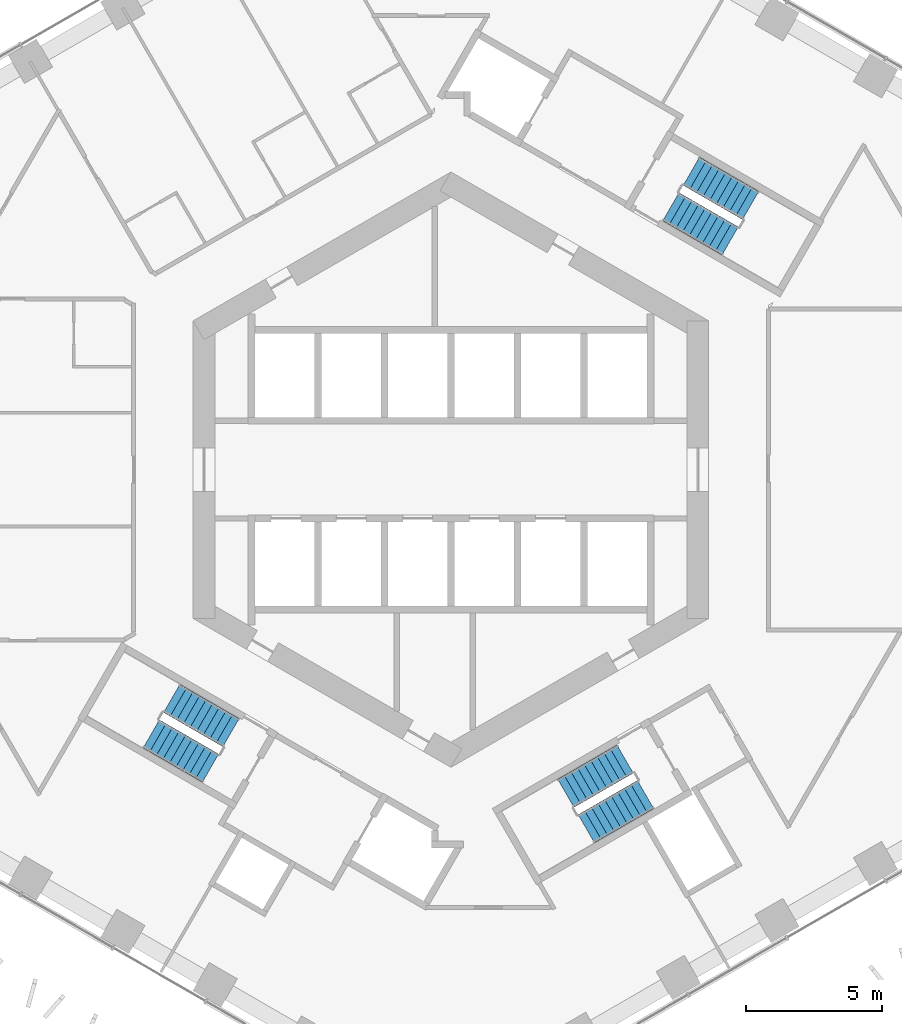
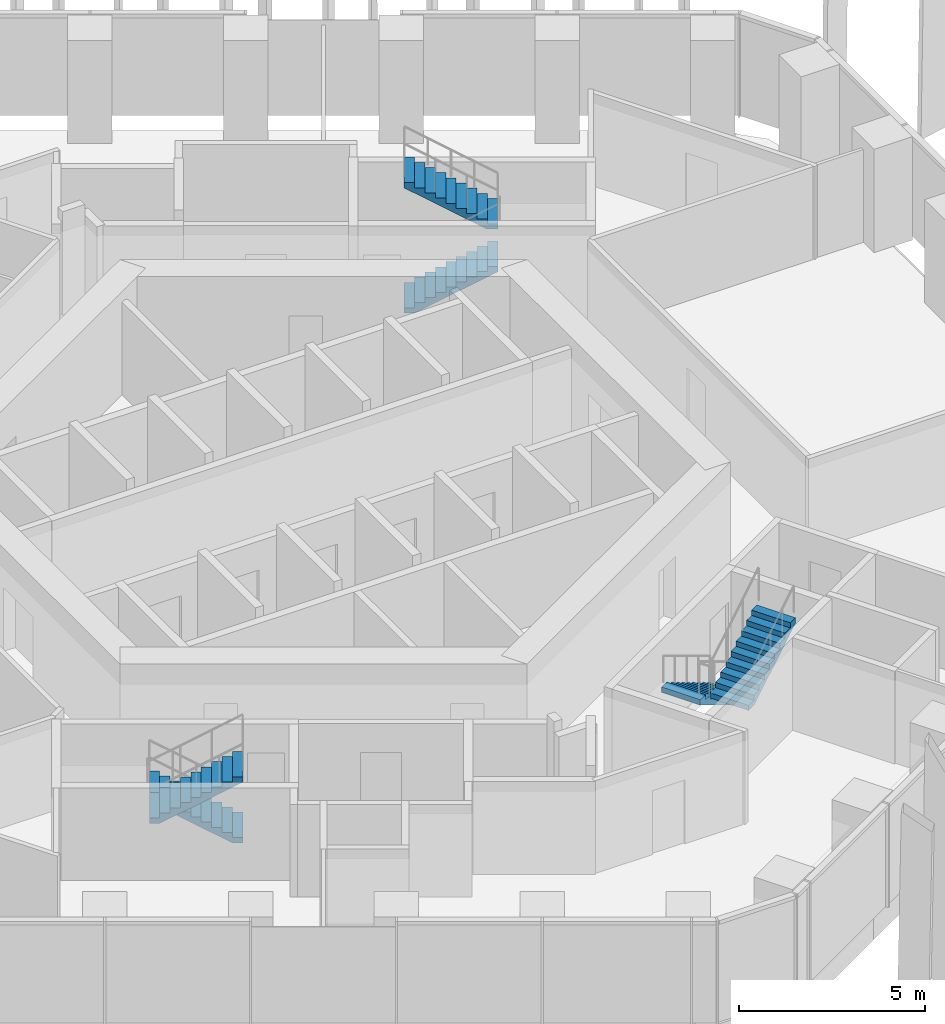
# One storey, part 16 of 19: 6 stair flights, 3 elements without a shape of their own.
"""IFC4 building model written with IfcOpenShell, lengths in metres."""

import ifcopenshell
import ifcopenshell.guid

model = None  # the IFC model being written
_history = None  # IfcOwnerHistory: only IFC2X3 demands one
_inside = {}  # id of a spatial element -> (the spatial element, [elements in it])
_under = {}  # id of a project, library or spatial element -> (it, [spatial elements below it])
_declared = {}  # id of a project -> (the project, [libraries it declares])
_typed = {}  # id of a type object -> (the type object, [elements of that type])
_made_of = {}  # id of a material, layer set ... -> (it, [elements and type objects made of it])


def new_model(schema):
    """Start an empty IFC model of exactly this schema.

    Asked for "IFC4X3", IfcOpenShell would pick the latest addendum, in which some entities
    have other attributes; the version numbers below select the first issue.
    IFC2X3 requires an IfcOwnerHistory on every rooted entity: one is made here for all.
    """
    global model, _history
    if schema == "IFC4X3":
        model = ifcopenshell.file(schema_version=(4, 3, 0, 0))
    else:
        model = ifcopenshell.file(schema=schema)
    _inside.clear()
    _under.clear()
    _declared.clear()
    _typed.clear()
    _made_of.clear()
    _history = None
    if model.schema == "IFC2X3":
        org = make("IfcOrganization", Name="unknown")
        user = make(
            "IfcPersonAndOrganization",
            ThePerson=make("IfcPerson", FamilyName="unknown"),
            TheOrganization=org,
        )
        app = make(
            "IfcApplication",
            ApplicationDeveloper=org,
            Version="unknown",
            ApplicationFullName="unknown",
            ApplicationIdentifier="unknown",
        )
        _history = make(
            "IfcOwnerHistory",
            OwningUser=user,
            OwningApplication=app,
            ChangeAction="ADDED",
            CreationDate=0,
        )
    return model


def make(cls, **values):
    """One entity of the class cls with the attributes given. An attribute that is None is left unset."""
    return model.create_entity(
        cls, **{name: value for name, value in values.items() if value is not None}
    )


def rooted(cls, **values):
    """An entity with a GlobalId (a new one), such as an element, a storey or a relation."""
    return make(cls, GlobalId=ifcopenshell.guid.new(), OwnerHistory=_history, **values)


def si_unit(unit_type, name, prefix=None):
    """IfcSIUnit, for example si_unit("LENGTHUNIT", "METRE", prefix="MILLI")."""
    return make("IfcSIUnit", UnitType=unit_type, Prefix=prefix, Name=name)


def assignment(units):
    """IfcUnitAssignment: the units of a project."""
    return None if units is None else make("IfcUnitAssignment", Units=units)


def point(xyz):
    """IfcCartesianPoint."""
    return None if xyz is None else make("IfcCartesianPoint", Coordinates=xyz)


def direction(xyz):
    """IfcDirection."""
    return None if xyz is None else make("IfcDirection", DirectionRatios=xyz)


def frame(location, z_axis=None, x_axis=None):
    """IfcAxis2Placement3D, a coordinate frame: its origin and axes. An axis left out is left unset."""
    return make(
        "IfcAxis2Placement3D",
        Location=point(location),
        Axis=direction(z_axis),
        RefDirection=direction(x_axis),
    )


def origin():
    """The frame at (0, 0, 0) with its axes left unset."""
    return frame((0.0, 0.0, 0.0))


def place(relative_to, where):
    """IfcLocalPlacement: puts the frame where relative to a parent placement (None: the world)."""
    return make(
        "IfcLocalPlacement", PlacementRelTo=relative_to, RelativePlacement=where
    )


def context(
    kind, dimensions, precision=None, world=None, true_north=None, identifier=None
):
    """IfcGeometricRepresentationContext, for example the 3D "Model" context."""
    return make(
        "IfcGeometricRepresentationContext",
        ContextIdentifier=identifier,
        ContextType=kind,
        CoordinateSpaceDimension=dimensions,
        Precision=precision,
        WorldCoordinateSystem=world,
        TrueNorth=true_north,
    )


def subcontext(parent, identifier, kind, view, scale=None):
    """IfcGeometricRepresentationSubContext, for example "Body" below "Model"."""
    return make(
        "IfcGeometricRepresentationSubContext",
        ContextIdentifier=identifier,
        ContextType=kind,
        ParentContext=parent,
        TargetScale=scale,
        TargetView=view,
    )


def project(units=None, contexts=None):
    """IfcProject with its units and contexts."""
    return rooted(
        "IfcProject",
        Name="project",
        RepresentationContexts=contexts,
        UnitsInContext=assignment(units),
    )


def spatial(cls, under=None, at=None, **own):
    """A site, building, storey or space (cls), placed at a placement, below another one or the project."""
    s = rooted(cls, ObjectPlacement=at, **own)
    if under is not None:
        _under.setdefault(under.id(), (under, []))[1].append(s)
    return s


def point_list(points):
    """IfcCartesianPointList2D or 3D."""
    cls = (
        "IfcCartesianPointList2D" if len(points[0]) == 2 else "IfcCartesianPointList3D"
    )
    return make(cls, CoordList=points)


def triangles(points, corners, closed=None, point_numbers=None):
    """IfcTriangulatedFaceSet: each triangle names its three corners, points numbered from 1."""
    return make(
        "IfcTriangulatedFaceSet",
        Coordinates=point_list(points),
        Closed=closed,
        CoordIndex=corners,
        PnIndex=point_numbers,
    )


def shape(context_of_items, identifier, shape_type, items):
    """IfcShapeRepresentation: the items that make up one representation, for example the "Body"."""
    return make(
        "IfcShapeRepresentation",
        ContextOfItems=context_of_items,
        RepresentationIdentifier=identifier,
        RepresentationType=shape_type,
        Items=items,
    )


def material(Name=None, Category=None):
    """IfcMaterial."""
    return make("IfcMaterial", Name=Name, Category=Category)


def made_of(thing, what):
    """Note that an element or type object is made of a material, layer set ...; save() writes the relation."""
    if what is not None:
        _made_of.setdefault(what.id(), (what, []))[1].append(thing)
    return thing


def type_object(cls, material=None, **own):
    """A type object (cls), such as IfcWallType, which elements share."""
    return made_of(rooted(cls, **own), material)


def element(
    cls,
    number,
    at=None,
    inside=None,
    cuts=None,
    type_object=None,
    material=None,
    context=None,
    identifier="Body",
    shape_type=None,
    held_by="IfcProductDefinitionShape",
    body=None,
    shapes=None,
    **own,
):
    """One element of the class cls, such as IfcWall. Its Tag is "e" and its number.

    at: its placement. inside: the storey or other place that contains it. cuts: it is an
    opening in that element (IfcRelVoidsElement). A single representation is given by context,
    identifier, shape_type and body (its items); several are given by shapes. held_by: the class
    of the entity that holds the representations. save() writes the other relations.
    """
    e = rooted(cls, Tag="e%d" % number, ObjectPlacement=at, **own)
    if body is not None:
        shapes = [shape(context, identifier, shape_type, body)]
    if shapes is not None:
        e.Representation = make(held_by, Representations=shapes)
    if inside is not None:
        _inside.setdefault(inside.id(), (inside, []))[1].append(e)
    if cuts is not None:
        rooted(
            "IfcRelVoidsElement", RelatingBuildingElement=cuts, RelatedOpeningElement=e
        )
    if type_object is not None:
        _typed.setdefault(type_object.id(), (type_object, []))[1].append(e)
    return made_of(e, material)


def aggregate(whole, parts):
    """IfcRelAggregates: a whole, such as a stair, and the parts it consists of."""
    return rooted("IfcRelAggregates", RelatingObject=whole, RelatedObjects=parts)


def save(model, path):
    """Write the relations noted so far, then the file.

    IfcRelAggregates (storeys below a building ...), IfcRelContainedInSpatialStructure (elements
    in a storey), IfcRelDefinesByType, IfcRelAssociatesMaterial and IfcRelDeclares: one each for
    every whole, place, type object, material and project.
    """
    for whole, parts in _under.values():
        aggregate(whole, parts)
    for where, things in _inside.values():
        rooted(
            "IfcRelContainedInSpatialStructure",
            RelatedElements=things,
            RelatingStructure=where,
        )
    for kind, things in _typed.values():
        rooted("IfcRelDefinesByType", RelatedObjects=things, RelatingType=kind)
    for what, things in _made_of.values():
        rooted("IfcRelAssociatesMaterial", RelatedObjects=things, RelatingMaterial=what)
    for by, libraries in _declared.values():
        rooted("IfcRelDeclares", RelatingContext=by, RelatedDefinitions=libraries)
    model.write(path)


model = new_model("IFC4")

# Units and contexts
model_context = context("Model", 3, precision=1e-05, world=origin(), true_north=direction((0.0, 1.0)))
body_context = subcontext(model_context, "Body", "Model", "MODEL_VIEW")
ifc_project = project(units=[si_unit("LENGTHUNIT", "METRE"), si_unit("AREAUNIT", "SQUARE_METRE"), si_unit("VOLUMEUNIT", "CUBIC_METRE"), si_unit("PLANEANGLEUNIT", "RADIAN"), si_unit("MASSUNIT", "GRAM", prefix="KILO")], contexts=[model_context])

# Site, building, storey
site_placement = place(None, origin())
site = spatial("IfcSite", under=ifc_project, at=site_placement, CompositionType="ELEMENT")
building_placement = place(site_placement, origin())
building = spatial("IfcBuilding", under=site, at=building_placement, Name="Ayvan Gate Tower", CompositionType="ELEMENT")
storey_placement = place(building_placement, frame((0.0, 0.0, 45.89990234375)))
storey = spatial("IfcBuildingStorey", under=building, at=storey_placement, Name="L11", CompositionType="ELEMENT", Elevation=45.89990234375)

# Stair, stair flights
ifc_material = material(Name="Concrete C40/50", Category="concrete")
stair_type = type_object("IfcStairType", Name="ST-EXIT", PredefinedType="HALF_TURN_STAIR", material=ifc_material)
stair_1_placement = place(storey_placement, origin())
stair_1 = element("IfcStair", 1, at=stair_1_placement, inside=storey, type_object=stair_type, Name="L11 Exit Stair S1", PredefinedType="HALF_TURN_STAIR")
stair_flight_type = type_object("IfcStairFlightType", Name="SFL-EXIT", PredefinedType="STRAIGHT", material=ifc_material)
stair_flight_1_placement = place(storey_placement, frame((8.106201171875, 9.690185546875, 0.0), z_axis=(0.0, 0.0, 1.0), x_axis=(0.866025403784, -0.5, 0.0)))
stair_flight_1 = element("IfcStairFlight", 2, at=stair_flight_1_placement, type_object=stair_flight_type, Name="STS1 flight 1", NumberOfRisers=10, NumberOfTreads=9, PredefinedType="STRAIGHT", RiserHeight=0.17, TreadLength=0.28, context=body_context, shape_type="Tessellation", body=[
    triangles([(0.288841, -0.599976, 0.0), (2.5205, -0.599976, 1.354936), (2.5205, -0.599976, 1.53), (2.24, -0.599976, 1.53), (2.24, -0.599976, 1.36), (1.96, -0.599976, 1.36), (1.96, -0.599976, 1.19), (1.68, -0.599976, 1.19), (1.68, -0.599976, 1.02), (1.4, -0.599976, 1.02), (1.4, -0.599976, 0.85), (1.12, -0.599976, 0.85), (1.12, -0.599976, 0.68), (0.84, -0.599976, 0.68), (0.84, -0.599976, 0.51), (0.56, -0.599976, 0.51), (0.56, -0.599976, 0.34), (0.28, -0.599976, 0.34), (0.28, -0.599976, 0.17), (-0.0005, -0.599976, 0.17), (-0.0005, -0.599976, 0.0), (0.288841, 0.0, 0.0), (2.5205, 0.0, 1.354936), (2.5205, 0.0, 1.53), (2.24, 0.0, 1.53), (2.24, 0.0, 1.36), (1.96, 0.0, 1.36), (1.96, 0.0, 1.19), (1.68, 0.0, 1.19), (1.68, 0.0, 1.02), (1.4, 0.0, 1.02), (1.4, 0.0, 0.85), (1.12, 0.0, 0.85), (1.12, 0.0, 0.68), (0.84, 0.0, 0.68), (0.84, 0.0, 0.51), (0.56, 0.0, 0.51), (0.56, 0.0, 0.34), (0.28, 0.0, 0.34), (0.28, 0.0, 0.17), (-0.0005, 0.0, 0.17), (-0.0005, 0.0, 0.0), (0.288841, 0.599976, 0.0), (2.5205, 0.599976, 1.354936), (2.5205, 0.599976, 1.53), (2.24, 0.599976, 1.53), (2.24, 0.599976, 1.36), (1.96, 0.599976, 1.36), (1.96, 0.599976, 1.19), (1.68, 0.599976, 1.19), (1.68, 0.599976, 1.02), (1.4, 0.599976, 1.02), (1.4, 0.599976, 0.85), (1.12, 0.599976, 0.85), (1.12, 0.599976, 0.68), (0.84, 0.599976, 0.68), (0.84, 0.599976, 0.51), (0.56, 0.599976, 0.51), (0.56, 0.599976, 0.34), (0.28, 0.599976, 0.34), (0.28, 0.599976, 0.17), (-0.0005, 0.599976, 0.17), (-0.0005, 0.599976, 0.0)], [[21, 1, 2], [63, 44, 43], [2, 3, 4], [44, 46, 45], [2, 4, 5], [44, 47, 46], [2, 5, 6], [44, 48, 47], [2, 6, 7], [44, 49, 48], [7, 8, 9], [49, 51, 50], [2, 7, 9], [44, 51, 49], [9, 10, 11], [51, 53, 52], [2, 9, 11], [44, 53, 51], [11, 12, 13], [53, 55, 54], [2, 11, 13], [44, 55, 53], [13, 14, 15], [55, 57, 56], [2, 13, 15], [44, 57, 55], [15, 16, 17], [57, 59, 58], [2, 15, 17], [44, 59, 57], [17, 18, 19], [59, 61, 60], [2, 17, 19], [44, 61, 59], [21, 2, 19], [63, 61, 44], [19, 20, 21], [61, 63, 62], [1, 22, 23], [1, 23, 2], [43, 23, 22], [43, 44, 23], [2, 23, 24], [2, 24, 3], [44, 24, 23], [44, 45, 24], [3, 24, 25], [3, 25, 4], [45, 25, 24], [45, 46, 25], [4, 25, 26], [4, 26, 5], [46, 26, 25], [46, 47, 26], [5, 26, 27], [5, 27, 6], [47, 27, 26], [47, 48, 27], [6, 27, 28], [6, 28, 7], [48, 28, 27], [48, 49, 28], [7, 28, 29], [7, 29, 8], [49, 29, 28], [49, 50, 29], [8, 29, 30], [8, 30, 9], [50, 30, 29], [50, 51, 30], [9, 30, 31], [9, 31, 10], [51, 31, 30], [51, 52, 31], [10, 31, 32], [10, 32, 11], [52, 32, 31], [52, 53, 32], [11, 32, 33], [11, 33, 12], [53, 33, 32], [53, 54, 33], [12, 33, 34], [12, 34, 13], [54, 34, 33], [54, 55, 34], [13, 34, 35], [13, 35, 14], [55, 35, 34], [55, 56, 35], [14, 35, 36], [14, 36, 15], [56, 36, 35], [56, 57, 36], [15, 36, 37], [15, 37, 16], [57, 37, 36], [57, 58, 37], [16, 37, 38], [16, 38, 17], [58, 38, 37], [58, 59, 38], [17, 38, 39], [17, 39, 18], [59, 39, 38], [59, 60, 39], [18, 39, 40], [18, 40, 19], [60, 40, 39], [60, 61, 40], [19, 40, 41], [19, 41, 20], [61, 41, 40], [61, 62, 41], [20, 41, 42], [20, 42, 21], [62, 42, 41], [62, 63, 42], [21, 42, 22], [21, 22, 1], [63, 22, 42], [63, 43, 22]], closed=True),
])
stair_flight_2_placement = place(storey_placement, frame((11.04345703125, 9.73779296875, 1.7001953125), z_axis=(0.0, 0.0, 1.0), x_axis=(-0.866025403784, 0.5, 0.0)))
stair_flight_2 = element("IfcStairFlight", 3, at=stair_flight_2_placement, type_object=stair_flight_type, Name="STS1 flight 2", NumberOfRisers=10, NumberOfTreads=9, PredefinedType="STRAIGHT", RiserHeight=0.17, TreadLength=0.28, context=body_context, shape_type="Tessellation", body=[
    triangles([(0.288841, -0.599976, 0.0), (2.5205, -0.599976, 1.354936), (2.5205, -0.599976, 1.53), (2.24, -0.599976, 1.53), (2.24, -0.599976, 1.36), (1.96, -0.599976, 1.36), (1.96, -0.599976, 1.19), (1.68, -0.599976, 1.19), (1.68, -0.599976, 1.02), (1.4, -0.599976, 1.02), (1.4, -0.599976, 0.85), (1.12, -0.599976, 0.85), (1.12, -0.599976, 0.68), (0.84, -0.599976, 0.68), (0.84, -0.599976, 0.51), (0.56, -0.599976, 0.51), (0.56, -0.599976, 0.34), (0.28, -0.599976, 0.34), (0.28, -0.599976, 0.17), (-0.0005, -0.599976, 0.17), (-0.0005, -0.599976, 0.0), (0.288841, 0.0, 0.0), (2.5205, 0.0, 1.354936), (2.5205, 0.0, 1.53), (2.24, 0.0, 1.53), (2.24, 0.0, 1.36), (1.96, 0.0, 1.36), (1.96, 0.0, 1.19), (1.68, 0.0, 1.19), (1.68, 0.0, 1.02), (1.4, 0.0, 1.02), (1.4, 0.0, 0.85), (1.12, 0.0, 0.85), (1.12, 0.0, 0.68), (0.84, 0.0, 0.68), (0.84, 0.0, 0.51), (0.56, 0.0, 0.51), (0.56, 0.0, 0.34), (0.28, 0.0, 0.34), (0.28, 0.0, 0.17), (-0.0005, 0.0, 0.17), (-0.0005, 0.0, 0.0), (0.288841, 0.599976, 0.0), (2.5205, 0.599976, 1.354936), (2.5205, 0.599976, 1.53), (2.24, 0.599976, 1.53), (2.24, 0.599976, 1.36), (1.96, 0.599976, 1.36), (1.96, 0.599976, 1.19), (1.68, 0.599976, 1.19), (1.68, 0.599976, 1.02), (1.4, 0.599976, 1.02), (1.4, 0.599976, 0.85), (1.12, 0.599976, 0.85), (1.12, 0.599976, 0.68), (0.84, 0.599976, 0.68), (0.84, 0.599976, 0.51), (0.56, 0.599976, 0.51), (0.56, 0.599976, 0.34), (0.28, 0.599976, 0.34), (0.28, 0.599976, 0.17), (-0.0005, 0.599976, 0.17), (-0.0005, 0.599976, 0.0)], [[21, 1, 2], [63, 44, 43], [2, 3, 4], [44, 46, 45], [2, 4, 5], [44, 47, 46], [2, 5, 6], [44, 48, 47], [2, 6, 7], [44, 49, 48], [7, 8, 9], [49, 51, 50], [2, 7, 9], [44, 51, 49], [9, 10, 11], [51, 53, 52], [2, 9, 11], [44, 53, 51], [11, 12, 13], [53, 55, 54], [2, 11, 13], [44, 55, 53], [13, 14, 15], [55, 57, 56], [2, 13, 15], [44, 57, 55], [15, 16, 17], [57, 59, 58], [2, 15, 17], [44, 59, 57], [17, 18, 19], [59, 61, 60], [2, 17, 19], [44, 61, 59], [21, 2, 19], [63, 61, 44], [19, 20, 21], [61, 63, 62], [1, 22, 23], [1, 23, 2], [43, 23, 22], [43, 44, 23], [2, 23, 24], [2, 24, 3], [44, 24, 23], [44, 45, 24], [3, 24, 25], [3, 25, 4], [45, 25, 24], [45, 46, 25], [4, 25, 26], [4, 26, 5], [46, 26, 25], [46, 47, 26], [5, 26, 27], [5, 27, 6], [47, 27, 26], [47, 48, 27], [6, 27, 28], [6, 28, 7], [48, 28, 27], [48, 49, 28], [7, 28, 29], [7, 29, 8], [49, 29, 28], [49, 50, 29], [8, 29, 30], [8, 30, 9], [50, 30, 29], [50, 51, 30], [9, 30, 31], [9, 31, 10], [51, 31, 30], [51, 52, 31], [10, 31, 32], [10, 32, 11], [52, 32, 31], [52, 53, 32], [11, 32, 33], [11, 33, 12], [53, 33, 32], [53, 54, 33], [12, 33, 34], [12, 34, 13], [54, 34, 33], [54, 55, 34], [13, 34, 35], [13, 35, 14], [55, 35, 34], [55, 56, 35], [14, 35, 36], [14, 36, 15], [56, 36, 35], [56, 57, 36], [15, 36, 37], [15, 37, 16], [57, 37, 36], [57, 58, 37], [16, 37, 38], [16, 38, 17], [58, 38, 37], [58, 59, 38], [17, 38, 39], [17, 39, 18], [59, 39, 38], [59, 60, 39], [18, 39, 40], [18, 40, 19], [60, 40, 39], [60, 61, 40], [19, 40, 41], [19, 41, 20], [61, 41, 40], [61, 62, 41], [20, 41, 42], [20, 42, 21], [62, 42, 41], [62, 63, 42], [21, 42, 22], [21, 22, 1], [63, 22, 42], [63, 43, 22]], closed=True),
])
aggregate(stair_1, [stair_flight_1, stair_flight_2])

stair_2_placement = place(storey_placement, origin())
stair_2 = element("IfcStair", 4, at=stair_2_placement, inside=storey, type_object=stair_type, Name="L11 Exit Stair S2", PredefinedType="HALF_TURN_STAIR")
stair_flight_3_placement = place(storey_placement, frame((-8.106201171875, -9.690185546875, 0.0), z_axis=(0.0, 0.0, 1.0), x_axis=(-0.866025403784, 0.5, 0.0)))
stair_flight_3 = element("IfcStairFlight", 5, at=stair_flight_3_placement, type_object=stair_flight_type, Name="STS2 flight 1", NumberOfRisers=10, NumberOfTreads=9, PredefinedType="STRAIGHT", RiserHeight=0.17, TreadLength=0.28, context=body_context, shape_type="Tessellation", body=[
    triangles([(0.288841, -0.599976, 0.0), (2.5205, -0.599976, 1.354936), (2.5205, -0.599976, 1.53), (2.24, -0.599976, 1.53), (2.24, -0.599976, 1.36), (1.96, -0.599976, 1.36), (1.96, -0.599976, 1.19), (1.68, -0.599976, 1.19), (1.68, -0.599976, 1.02), (1.4, -0.599976, 1.02), (1.4, -0.599976, 0.85), (1.12, -0.599976, 0.85), (1.12, -0.599976, 0.68), (0.84, -0.599976, 0.68), (0.84, -0.599976, 0.51), (0.56, -0.599976, 0.51), (0.56, -0.599976, 0.34), (0.28, -0.599976, 0.34), (0.28, -0.599976, 0.17), (-0.0005, -0.599976, 0.17), (-0.0005, -0.599976, 0.0), (0.288841, 0.0, 0.0), (2.5205, 0.0, 1.354936), (2.5205, 0.0, 1.53), (2.24, 0.0, 1.53), (2.24, 0.0, 1.36), (1.96, 0.0, 1.36), (1.96, 0.0, 1.19), (1.68, 0.0, 1.19), (1.68, 0.0, 1.02), (1.4, 0.0, 1.02), (1.4, 0.0, 0.85), (1.12, 0.0, 0.85), (1.12, 0.0, 0.68), (0.84, 0.0, 0.68), (0.84, 0.0, 0.51), (0.56, 0.0, 0.51), (0.56, 0.0, 0.34), (0.28, 0.0, 0.34), (0.28, 0.0, 0.17), (-0.0005, 0.0, 0.17), (-0.0005, 0.0, 0.0), (0.288841, 0.599976, 0.0), (2.5205, 0.599976, 1.354936), (2.5205, 0.599976, 1.53), (2.24, 0.599976, 1.53), (2.24, 0.599976, 1.36), (1.96, 0.599976, 1.36), (1.96, 0.599976, 1.19), (1.68, 0.599976, 1.19), (1.68, 0.599976, 1.02), (1.4, 0.599976, 1.02), (1.4, 0.599976, 0.85), (1.12, 0.599976, 0.85), (1.12, 0.599976, 0.68), (0.84, 0.599976, 0.68), (0.84, 0.599976, 0.51), (0.56, 0.599976, 0.51), (0.56, 0.599976, 0.34), (0.28, 0.599976, 0.34), (0.28, 0.599976, 0.17), (-0.0005, 0.599976, 0.17), (-0.0005, 0.599976, 0.0)], [[21, 1, 2], [63, 44, 43], [2, 3, 4], [44, 46, 45], [2, 4, 5], [44, 47, 46], [2, 5, 6], [44, 48, 47], [2, 6, 7], [44, 49, 48], [7, 8, 9], [49, 51, 50], [2, 7, 9], [44, 51, 49], [9, 10, 11], [51, 53, 52], [2, 9, 11], [44, 53, 51], [11, 12, 13], [53, 55, 54], [2, 11, 13], [44, 55, 53], [13, 14, 15], [55, 57, 56], [2, 13, 15], [44, 57, 55], [15, 16, 17], [57, 59, 58], [2, 15, 17], [44, 59, 57], [17, 18, 19], [59, 61, 60], [2, 17, 19], [44, 61, 59], [21, 2, 19], [63, 61, 44], [19, 20, 21], [61, 63, 62], [1, 22, 23], [1, 23, 2], [43, 23, 22], [43, 44, 23], [2, 23, 24], [2, 24, 3], [44, 24, 23], [44, 45, 24], [3, 24, 25], [3, 25, 4], [45, 25, 24], [45, 46, 25], [4, 25, 26], [4, 26, 5], [46, 26, 25], [46, 47, 26], [5, 26, 27], [5, 27, 6], [47, 27, 26], [47, 48, 27], [6, 27, 28], [6, 28, 7], [48, 28, 27], [48, 49, 28], [7, 28, 29], [7, 29, 8], [49, 29, 28], [49, 50, 29], [8, 29, 30], [8, 30, 9], [50, 30, 29], [50, 51, 30], [9, 30, 31], [9, 31, 10], [51, 31, 30], [51, 52, 31], [10, 31, 32], [10, 32, 11], [52, 32, 31], [52, 53, 32], [11, 32, 33], [11, 33, 12], [53, 33, 32], [53, 54, 33], [12, 33, 34], [12, 34, 13], [54, 34, 33], [54, 55, 34], [13, 34, 35], [13, 35, 14], [55, 35, 34], [55, 56, 35], [14, 35, 36], [14, 36, 15], [56, 36, 35], [56, 57, 36], [15, 36, 37], [15, 37, 16], [57, 37, 36], [57, 58, 37], [16, 37, 38], [16, 38, 17], [58, 38, 37], [58, 59, 38], [17, 38, 39], [17, 39, 18], [59, 39, 38], [59, 60, 39], [18, 39, 40], [18, 40, 19], [60, 40, 39], [60, 61, 40], [19, 40, 41], [19, 41, 20], [61, 41, 40], [61, 62, 41], [20, 41, 42], [20, 42, 21], [62, 42, 41], [62, 63, 42], [21, 42, 22], [21, 22, 1], [63, 22, 42], [63, 43, 22]], closed=True),
])
stair_flight_4_placement = place(storey_placement, frame((-11.04345703125, -9.73779296875, 1.7001953125), z_axis=(0.0, 0.0, 1.0), x_axis=(0.866025403784, -0.5, 0.0)))
stair_flight_4 = element("IfcStairFlight", 6, at=stair_flight_4_placement, type_object=stair_flight_type, Name="STS2 flight 2", NumberOfRisers=10, NumberOfTreads=9, PredefinedType="STRAIGHT", RiserHeight=0.17, TreadLength=0.28, context=body_context, shape_type="Tessellation", body=[
    triangles([(0.288841, -0.599976, 0.0), (2.5205, -0.599976, 1.354936), (2.5205, -0.599976, 1.53), (2.24, -0.599976, 1.53), (2.24, -0.599976, 1.36), (1.96, -0.599976, 1.36), (1.96, -0.599976, 1.19), (1.68, -0.599976, 1.19), (1.68, -0.599976, 1.02), (1.4, -0.599976, 1.02), (1.4, -0.599976, 0.85), (1.12, -0.599976, 0.85), (1.12, -0.599976, 0.68), (0.84, -0.599976, 0.68), (0.84, -0.599976, 0.51), (0.56, -0.599976, 0.51), (0.56, -0.599976, 0.34), (0.28, -0.599976, 0.34), (0.28, -0.599976, 0.17), (-0.0005, -0.599976, 0.17), (-0.0005, -0.599976, 0.0), (0.288841, 0.0, 0.0), (2.5205, 0.0, 1.354936), (2.5205, 0.0, 1.53), (2.24, 0.0, 1.53), (2.24, 0.0, 1.36), (1.96, 0.0, 1.36), (1.96, 0.0, 1.19), (1.68, 0.0, 1.19), (1.68, 0.0, 1.02), (1.4, 0.0, 1.02), (1.4, 0.0, 0.85), (1.12, 0.0, 0.85), (1.12, 0.0, 0.68), (0.84, 0.0, 0.68), (0.84, 0.0, 0.51), (0.56, 0.0, 0.51), (0.56, 0.0, 0.34), (0.28, 0.0, 0.34), (0.28, 0.0, 0.17), (-0.0005, 0.0, 0.17), (-0.0005, 0.0, 0.0), (0.288841, 0.599976, 0.0), (2.5205, 0.599976, 1.354936), (2.5205, 0.599976, 1.53), (2.24, 0.599976, 1.53), (2.24, 0.599976, 1.36), (1.96, 0.599976, 1.36), (1.96, 0.599976, 1.19), (1.68, 0.599976, 1.19), (1.68, 0.599976, 1.02), (1.4, 0.599976, 1.02), (1.4, 0.599976, 0.85), (1.12, 0.599976, 0.85), (1.12, 0.599976, 0.68), (0.84, 0.599976, 0.68), (0.84, 0.599976, 0.51), (0.56, 0.599976, 0.51), (0.56, 0.599976, 0.34), (0.28, 0.599976, 0.34), (0.28, 0.599976, 0.17), (-0.0005, 0.599976, 0.17), (-0.0005, 0.599976, 0.0)], [[21, 1, 2], [63, 44, 43], [2, 3, 4], [44, 46, 45], [2, 4, 5], [44, 47, 46], [2, 5, 6], [44, 48, 47], [2, 6, 7], [44, 49, 48], [7, 8, 9], [49, 51, 50], [2, 7, 9], [44, 51, 49], [9, 10, 11], [51, 53, 52], [2, 9, 11], [44, 53, 51], [11, 12, 13], [53, 55, 54], [2, 11, 13], [44, 55, 53], [13, 14, 15], [55, 57, 56], [2, 13, 15], [44, 57, 55], [15, 16, 17], [57, 59, 58], [2, 15, 17], [44, 59, 57], [17, 18, 19], [59, 61, 60], [2, 17, 19], [44, 61, 59], [21, 2, 19], [63, 61, 44], [19, 20, 21], [61, 63, 62], [1, 22, 23], [1, 23, 2], [43, 23, 22], [43, 44, 23], [2, 23, 24], [2, 24, 3], [44, 24, 23], [44, 45, 24], [3, 24, 25], [3, 25, 4], [45, 25, 24], [45, 46, 25], [4, 25, 26], [4, 26, 5], [46, 26, 25], [46, 47, 26], [5, 26, 27], [5, 27, 6], [47, 27, 26], [47, 48, 27], [6, 27, 28], [6, 28, 7], [48, 28, 27], [48, 49, 28], [7, 28, 29], [7, 29, 8], [49, 29, 28], [49, 50, 29], [8, 29, 30], [8, 30, 9], [50, 30, 29], [50, 51, 30], [9, 30, 31], [9, 31, 10], [51, 31, 30], [51, 52, 31], [10, 31, 32], [10, 32, 11], [52, 32, 31], [52, 53, 32], [11, 32, 33], [11, 33, 12], [53, 33, 32], [53, 54, 33], [12, 33, 34], [12, 34, 13], [54, 34, 33], [54, 55, 34], [13, 34, 35], [13, 35, 14], [55, 35, 34], [55, 56, 35], [14, 35, 36], [14, 36, 15], [56, 36, 35], [56, 57, 36], [15, 36, 37], [15, 37, 16], [57, 37, 36], [57, 58, 37], [16, 37, 38], [16, 38, 17], [58, 38, 37], [58, 59, 38], [17, 38, 39], [17, 39, 18], [59, 39, 38], [59, 60, 39], [18, 39, 40], [18, 40, 19], [60, 40, 39], [60, 61, 40], [19, 40, 41], [19, 41, 20], [61, 41, 40], [61, 62, 41], [20, 41, 42], [20, 42, 21], [62, 42, 41], [62, 63, 42], [21, 42, 22], [21, 22, 1], [63, 22, 42], [63, 43, 22]], closed=True),
])
aggregate(stair_2, [stair_flight_3, stair_flight_4])

stair_3_placement = place(storey_placement, origin())
stair_3 = element("IfcStair", 7, at=stair_3_placement, inside=storey, type_object=stair_type, Name="L11 Exit Stair S3", PredefinedType="HALF_TURN_STAIR")
stair_flight_5_placement = place(storey_placement, frame((6.417236328125, -10.665283203125, 0.0), z_axis=(0.0, 0.0, 1.0), x_axis=(-0.866025403784, -0.5, 0.0)))
stair_flight_5 = element("IfcStairFlight", 8, at=stair_flight_5_placement, type_object=stair_flight_type, Name="STS3 flight 1", NumberOfRisers=10, NumberOfTreads=9, PredefinedType="STRAIGHT", RiserHeight=0.17, TreadLength=0.28, context=body_context, shape_type="Tessellation", body=[
    triangles([(0.288841, -0.599976, 0.0), (2.5205, -0.599976, 1.354936), (2.5205, -0.599976, 1.53), (2.24, -0.599976, 1.53), (2.24, -0.599976, 1.36), (1.96, -0.599976, 1.36), (1.96, -0.599976, 1.19), (1.68, -0.599976, 1.19), (1.68, -0.599976, 1.02), (1.4, -0.599976, 1.02), (1.4, -0.599976, 0.85), (1.12, -0.599976, 0.85), (1.12, -0.599976, 0.68), (0.84, -0.599976, 0.68), (0.84, -0.599976, 0.51), (0.56, -0.599976, 0.51), (0.56, -0.599976, 0.34), (0.28, -0.599976, 0.34), (0.28, -0.599976, 0.17), (-0.0005, -0.599976, 0.17), (-0.0005, -0.599976, 0.0), (0.288841, 0.0, 0.0), (2.5205, 0.0, 1.354936), (2.5205, 0.0, 1.53), (2.24, 0.0, 1.53), (2.24, 0.0, 1.36), (1.96, 0.0, 1.36), (1.96, 0.0, 1.19), (1.68, 0.0, 1.19), (1.68, 0.0, 1.02), (1.4, 0.0, 1.02), (1.4, 0.0, 0.85), (1.12, 0.0, 0.85), (1.12, 0.0, 0.68), (0.84, 0.0, 0.68), (0.84, 0.0, 0.51), (0.56, 0.0, 0.51), (0.56, 0.0, 0.34), (0.28, 0.0, 0.34), (0.28, 0.0, 0.17), (-0.0005, 0.0, 0.17), (-0.0005, 0.0, 0.0), (0.288841, 0.599976, 0.0), (2.5205, 0.599976, 1.354936), (2.5205, 0.599976, 1.53), (2.24, 0.599976, 1.53), (2.24, 0.599976, 1.36), (1.96, 0.599976, 1.36), (1.96, 0.599976, 1.19), (1.68, 0.599976, 1.19), (1.68, 0.599976, 1.02), (1.4, 0.599976, 1.02), (1.4, 0.599976, 0.85), (1.12, 0.599976, 0.85), (1.12, 0.599976, 0.68), (0.84, 0.599976, 0.68), (0.84, 0.599976, 0.51), (0.56, 0.599976, 0.51), (0.56, 0.599976, 0.34), (0.28, 0.599976, 0.34), (0.28, 0.599976, 0.17), (-0.0005, 0.599976, 0.17), (-0.0005, 0.599976, 0.0)], [[21, 1, 2], [63, 44, 43], [2, 3, 4], [44, 46, 45], [2, 4, 5], [44, 47, 46], [2, 5, 6], [44, 48, 47], [2, 6, 7], [44, 49, 48], [7, 8, 9], [49, 51, 50], [2, 7, 9], [44, 51, 49], [9, 10, 11], [51, 53, 52], [2, 9, 11], [44, 53, 51], [11, 12, 13], [53, 55, 54], [2, 11, 13], [44, 55, 53], [13, 14, 15], [55, 57, 56], [2, 13, 15], [44, 57, 55], [15, 16, 17], [57, 59, 58], [2, 15, 17], [44, 59, 57], [17, 18, 19], [59, 61, 60], [2, 17, 19], [44, 61, 59], [21, 2, 19], [63, 61, 44], [19, 20, 21], [61, 63, 62], [1, 22, 23], [1, 23, 2], [43, 23, 22], [43, 44, 23], [2, 23, 24], [2, 24, 3], [44, 24, 23], [44, 45, 24], [3, 24, 25], [3, 25, 4], [45, 25, 24], [45, 46, 25], [4, 25, 26], [4, 26, 5], [46, 26, 25], [46, 47, 26], [5, 26, 27], [5, 27, 6], [47, 27, 26], [47, 48, 27], [6, 27, 28], [6, 28, 7], [48, 28, 27], [48, 49, 28], [7, 28, 29], [7, 29, 8], [49, 29, 28], [49, 50, 29], [8, 29, 30], [8, 30, 9], [50, 30, 29], [50, 51, 30], [9, 30, 31], [9, 31, 10], [51, 31, 30], [51, 52, 31], [10, 31, 32], [10, 32, 11], [52, 32, 31], [52, 53, 32], [11, 32, 33], [11, 33, 12], [53, 33, 32], [53, 54, 33], [12, 33, 34], [12, 34, 13], [54, 34, 33], [54, 55, 34], [13, 34, 35], [13, 35, 14], [55, 35, 34], [55, 56, 35], [14, 35, 36], [14, 36, 15], [56, 36, 35], [56, 57, 36], [15, 36, 37], [15, 37, 16], [57, 37, 36], [57, 58, 37], [16, 37, 38], [16, 38, 17], [58, 38, 37], [58, 59, 38], [17, 38, 39], [17, 39, 18], [59, 39, 38], [59, 60, 39], [18, 39, 40], [18, 40, 19], [60, 40, 39], [60, 61, 40], [19, 40, 41], [19, 41, 20], [61, 41, 40], [61, 62, 41], [20, 41, 42], [20, 42, 21], [62, 42, 41], [62, 63, 42], [21, 42, 22], [21, 22, 1], [63, 22, 42], [63, 43, 22]], closed=True),
])
stair_flight_6_placement = place(storey_placement, frame((4.989990234375, -13.23291015625, 1.7001953125), z_axis=(0.0, 0.0, 1.0), x_axis=(0.866025403784, 0.5, 0.0)))
stair_flight_6 = element("IfcStairFlight", 9, at=stair_flight_6_placement, type_object=stair_flight_type, Name="STS3 flight 2", NumberOfRisers=10, NumberOfTreads=9, PredefinedType="STRAIGHT", RiserHeight=0.17, TreadLength=0.28, context=body_context, shape_type="Tessellation", body=[
    triangles([(0.288841, -0.599976, 0.0), (2.5205, -0.599976, 1.354936), (2.5205, -0.599976, 1.53), (2.24, -0.599976, 1.53), (2.24, -0.599976, 1.36), (1.96, -0.599976, 1.36), (1.96, -0.599976, 1.19), (1.68, -0.599976, 1.19), (1.68, -0.599976, 1.02), (1.4, -0.599976, 1.02), (1.4, -0.599976, 0.85), (1.12, -0.599976, 0.85), (1.12, -0.599976, 0.68), (0.84, -0.599976, 0.68), (0.84, -0.599976, 0.51), (0.56, -0.599976, 0.51), (0.56, -0.599976, 0.34), (0.28, -0.599976, 0.34), (0.28, -0.599976, 0.17), (-0.0005, -0.599976, 0.17), (-0.0005, -0.599976, 0.0), (0.288841, 0.0, 0.0), (2.5205, 0.0, 1.354936), (2.5205, 0.0, 1.53), (2.24, 0.0, 1.53), (2.24, 0.0, 1.36), (1.96, 0.0, 1.36), (1.96, 0.0, 1.19), (1.68, 0.0, 1.19), (1.68, 0.0, 1.02), (1.4, 0.0, 1.02), (1.4, 0.0, 0.85), (1.12, 0.0, 0.85), (1.12, 0.0, 0.68), (0.84, 0.0, 0.68), (0.84, 0.0, 0.51), (0.56, 0.0, 0.51), (0.56, 0.0, 0.34), (0.28, 0.0, 0.34), (0.28, 0.0, 0.17), (-0.0005, 0.0, 0.17), (-0.0005, 0.0, 0.0), (0.288841, 0.599976, 0.0), (2.5205, 0.599976, 1.354936), (2.5205, 0.599976, 1.53), (2.24, 0.599976, 1.53), (2.24, 0.599976, 1.36), (1.96, 0.599976, 1.36), (1.96, 0.599976, 1.19), (1.68, 0.599976, 1.19), (1.68, 0.599976, 1.02), (1.4, 0.599976, 1.02), (1.4, 0.599976, 0.85), (1.12, 0.599976, 0.85), (1.12, 0.599976, 0.68), (0.84, 0.599976, 0.68), (0.84, 0.599976, 0.51), (0.56, 0.599976, 0.51), (0.56, 0.599976, 0.34), (0.28, 0.599976, 0.34), (0.28, 0.599976, 0.17), (-0.0005, 0.599976, 0.17), (-0.0005, 0.599976, 0.0)], [[21, 1, 2], [63, 44, 43], [2, 3, 4], [44, 46, 45], [2, 4, 5], [44, 47, 46], [2, 5, 6], [44, 48, 47], [2, 6, 7], [44, 49, 48], [7, 8, 9], [49, 51, 50], [2, 7, 9], [44, 51, 49], [9, 10, 11], [51, 53, 52], [2, 9, 11], [44, 53, 51], [11, 12, 13], [53, 55, 54], [2, 11, 13], [44, 55, 53], [13, 14, 15], [55, 57, 56], [2, 13, 15], [44, 57, 55], [15, 16, 17], [57, 59, 58], [2, 15, 17], [44, 59, 57], [17, 18, 19], [59, 61, 60], [2, 17, 19], [44, 61, 59], [21, 2, 19], [63, 61, 44], [19, 20, 21], [61, 63, 62], [1, 22, 23], [1, 23, 2], [43, 23, 22], [43, 44, 23], [2, 23, 24], [2, 24, 3], [44, 24, 23], [44, 45, 24], [3, 24, 25], [3, 25, 4], [45, 25, 24], [45, 46, 25], [4, 25, 26], [4, 26, 5], [46, 26, 25], [46, 47, 26], [5, 26, 27], [5, 27, 6], [47, 27, 26], [47, 48, 27], [6, 27, 28], [6, 28, 7], [48, 28, 27], [48, 49, 28], [7, 28, 29], [7, 29, 8], [49, 29, 28], [49, 50, 29], [8, 29, 30], [8, 30, 9], [50, 30, 29], [50, 51, 30], [9, 30, 31], [9, 31, 10], [51, 31, 30], [51, 52, 31], [10, 31, 32], [10, 32, 11], [52, 32, 31], [52, 53, 32], [11, 32, 33], [11, 33, 12], [53, 33, 32], [53, 54, 33], [12, 33, 34], [12, 34, 13], [54, 34, 33], [54, 55, 34], [13, 34, 35], [13, 35, 14], [55, 35, 34], [55, 56, 35], [14, 35, 36], [14, 36, 15], [56, 36, 35], [56, 57, 36], [15, 36, 37], [15, 37, 16], [57, 37, 36], [57, 58, 37], [16, 37, 38], [16, 38, 17], [58, 38, 37], [58, 59, 38], [17, 38, 39], [17, 39, 18], [59, 39, 38], [59, 60, 39], [18, 39, 40], [18, 40, 19], [60, 40, 39], [60, 61, 40], [19, 40, 41], [19, 41, 20], [61, 41, 40], [61, 62, 41], [20, 41, 42], [20, 42, 21], [62, 42, 41], [62, 63, 42], [21, 42, 22], [21, 22, 1], [63, 22, 42], [63, 43, 22]], closed=True),
])
aggregate(stair_3, [stair_flight_5, stair_flight_6])

save(model, "model.ifc")
